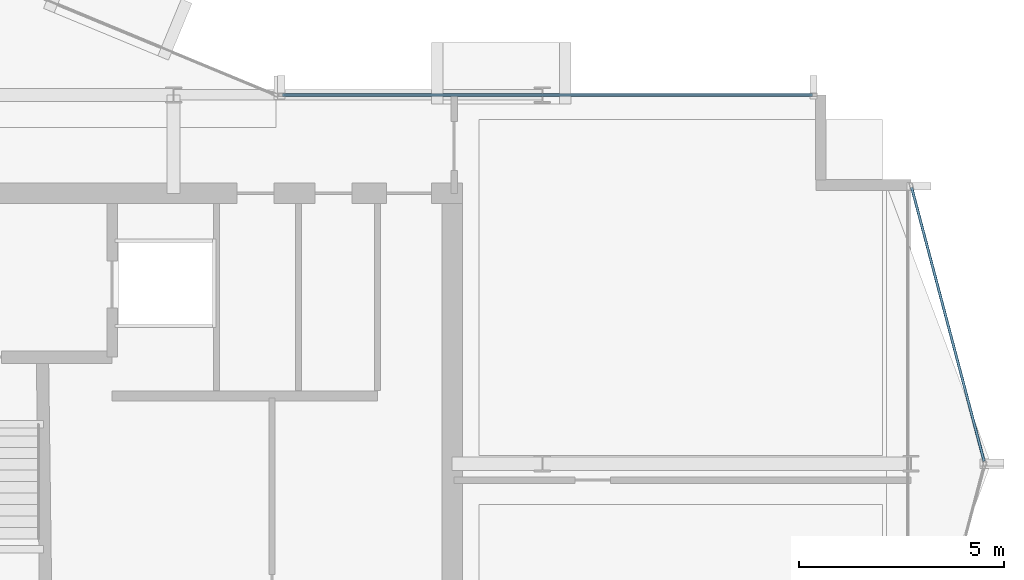
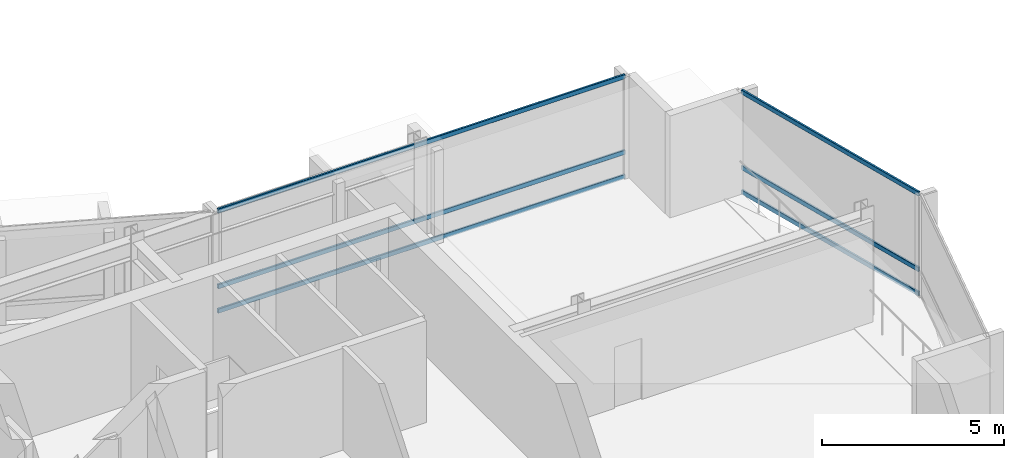
# One storey, part 13 of 27: 6 members, 2 elements without a shape of their own.
"""IFC4 building model written with IfcOpenShell, lengths in metres."""

import ifcopenshell
import ifcopenshell.guid

model = None  # the IFC model being written
_history = None  # IfcOwnerHistory: only IFC2X3 demands one
_inside = {}  # id of a spatial element -> (the spatial element, [elements in it])
_under = {}  # id of a project, library or spatial element -> (it, [spatial elements below it])
_declared = {}  # id of a project -> (the project, [libraries it declares])
_typed = {}  # id of a type object -> (the type object, [elements of that type])
_made_of = {}  # id of a material, layer set ... -> (it, [elements and type objects made of it])


def new_model(schema):
    """Start an empty IFC model of exactly this schema.

    Asked for "IFC4X3", IfcOpenShell would pick the latest addendum, in which some entities
    have other attributes; the version numbers below select the first issue.
    IFC2X3 requires an IfcOwnerHistory on every rooted entity: one is made here for all.
    """
    global model, _history
    if schema == "IFC4X3":
        model = ifcopenshell.file(schema_version=(4, 3, 0, 0))
    else:
        model = ifcopenshell.file(schema=schema)
    _inside.clear()
    _under.clear()
    _declared.clear()
    _typed.clear()
    _made_of.clear()
    _history = None
    if model.schema == "IFC2X3":
        org = make("IfcOrganization", Name="unknown")
        user = make(
            "IfcPersonAndOrganization",
            ThePerson=make("IfcPerson", FamilyName="unknown"),
            TheOrganization=org,
        )
        app = make(
            "IfcApplication",
            ApplicationDeveloper=org,
            Version="unknown",
            ApplicationFullName="unknown",
            ApplicationIdentifier="unknown",
        )
        _history = make(
            "IfcOwnerHistory",
            OwningUser=user,
            OwningApplication=app,
            ChangeAction="ADDED",
            CreationDate=0,
        )
    return model


def make(cls, **values):
    """One entity of the class cls with the attributes given. An attribute that is None is left unset."""
    return model.create_entity(
        cls, **{name: value for name, value in values.items() if value is not None}
    )


def rooted(cls, **values):
    """An entity with a GlobalId (a new one), such as an element, a storey or a relation."""
    return make(cls, GlobalId=ifcopenshell.guid.new(), OwnerHistory=_history, **values)


def si_unit(unit_type, name, prefix=None):
    """IfcSIUnit, for example si_unit("LENGTHUNIT", "METRE", prefix="MILLI")."""
    return make("IfcSIUnit", UnitType=unit_type, Prefix=prefix, Name=name)


def assignment(units):
    """IfcUnitAssignment: the units of a project."""
    return None if units is None else make("IfcUnitAssignment", Units=units)


def point(xyz):
    """IfcCartesianPoint."""
    return None if xyz is None else make("IfcCartesianPoint", Coordinates=xyz)


def direction(xyz):
    """IfcDirection."""
    return None if xyz is None else make("IfcDirection", DirectionRatios=xyz)


def frame(location, z_axis=None, x_axis=None):
    """IfcAxis2Placement3D, a coordinate frame: its origin and axes. An axis left out is left unset."""
    return make(
        "IfcAxis2Placement3D",
        Location=point(location),
        Axis=direction(z_axis),
        RefDirection=direction(x_axis),
    )


def frame_2d(location, x_axis=None):
    """IfcAxis2Placement2D, a coordinate frame in the plane: its origin and x axis."""
    return make(
        "IfcAxis2Placement2D", Location=point(location), RefDirection=direction(x_axis)
    )


def origin():
    """The frame at (0, 0, 0) with its axes left unset."""
    return frame((0.0, 0.0, 0.0))


def origin_2d():
    """The frame at (0, 0) in the plane with its x axis left unset."""
    return frame_2d((0.0, 0.0))


def place(relative_to, where):
    """IfcLocalPlacement: puts the frame where relative to a parent placement (None: the world)."""
    return make(
        "IfcLocalPlacement", PlacementRelTo=relative_to, RelativePlacement=where
    )


def context(
    kind, dimensions, precision=None, world=None, true_north=None, identifier=None
):
    """IfcGeometricRepresentationContext, for example the 3D "Model" context."""
    return make(
        "IfcGeometricRepresentationContext",
        ContextIdentifier=identifier,
        ContextType=kind,
        CoordinateSpaceDimension=dimensions,
        Precision=precision,
        WorldCoordinateSystem=world,
        TrueNorth=true_north,
    )


def subcontext(parent, identifier, kind, view, scale=None):
    """IfcGeometricRepresentationSubContext, for example "Body" below "Model"."""
    return make(
        "IfcGeometricRepresentationSubContext",
        ContextIdentifier=identifier,
        ContextType=kind,
        ParentContext=parent,
        TargetScale=scale,
        TargetView=view,
    )


def project(units=None, contexts=None):
    """IfcProject with its units and contexts."""
    return rooted(
        "IfcProject",
        Name="project",
        RepresentationContexts=contexts,
        UnitsInContext=assignment(units),
    )


def spatial(cls, under=None, at=None, **own):
    """A site, building, storey or space (cls), placed at a placement, below another one or the project."""
    s = rooted(cls, ObjectPlacement=at, **own)
    if under is not None:
        _under.setdefault(under.id(), (under, []))[1].append(s)
    return s


def profile(cls, at=None, kind="AREA", **sizes):
    """A parametric profile (cls). Its sizes go by their IFC names, for example OverallWidth=200.0."""
    return make(cls, ProfileType=kind, Position=at, **sizes)


def hollow_rectangle(**sizes):
    """IfcRectangleHollowProfileDef."""
    return profile("IfcRectangleHollowProfileDef", **sizes)


def extrude(swept, where, along, depth):
    """IfcExtrudedAreaSolid: the profile swept, set in the frame where, extruded along a direction by depth."""
    return make(
        "IfcExtrudedAreaSolid",
        SweptArea=swept,
        Position=where,
        ExtrudedDirection=direction(along),
        Depth=depth,
    )


def shape(context_of_items, identifier, shape_type, items):
    """IfcShapeRepresentation: the items that make up one representation, for example the "Body"."""
    return make(
        "IfcShapeRepresentation",
        ContextOfItems=context_of_items,
        RepresentationIdentifier=identifier,
        RepresentationType=shape_type,
        Items=items,
    )


def material(Name=None, Category=None):
    """IfcMaterial."""
    return make("IfcMaterial", Name=Name, Category=Category)


def layer(
    of_material, thickness, ventilated=None, Name=None, Category=None, Priority=None
):
    """IfcMaterialLayer: one layer of a wall or slab, of a material (None: an air gap)."""
    return make(
        "IfcMaterialLayer",
        Material=of_material,
        LayerThickness=thickness,
        IsVentilated=ventilated,
        Name=Name,
        Category=Category,
        Priority=Priority,
    )


def layer_set(layers, Name=None):
    """IfcMaterialLayerSet."""
    return make("IfcMaterialLayerSet", MaterialLayers=layers, LayerSetName=Name)


def material_profile(
    of_material, cross_section, Name=None, Category=None, Priority=None
):
    """IfcMaterialProfile: a cross section and its material."""
    return make(
        "IfcMaterialProfile",
        Name=Name,
        Material=of_material,
        Profile=cross_section,
        Priority=Priority,
        Category=Category,
    )


def profile_set(profiles, Name=None, composite=None):
    """IfcMaterialProfileSet."""
    return make(
        "IfcMaterialProfileSet",
        Name=Name,
        MaterialProfiles=profiles,
        CompositeProfile=composite,
    )


def made_of(thing, what):
    """Note that an element or type object is made of a material, layer set ...; save() writes the relation."""
    if what is not None:
        _made_of.setdefault(what.id(), (what, []))[1].append(thing)
    return thing


def type_object(cls, material=None, **own):
    """A type object (cls), such as IfcWallType, which elements share."""
    return made_of(rooted(cls, **own), material)


def element(
    cls,
    number,
    at=None,
    inside=None,
    cuts=None,
    type_object=None,
    material=None,
    context=None,
    identifier="Body",
    shape_type=None,
    held_by="IfcProductDefinitionShape",
    body=None,
    shapes=None,
    **own,
):
    """One element of the class cls, such as IfcWall. Its Tag is "e" and its number.

    at: its placement. inside: the storey or other place that contains it. cuts: it is an
    opening in that element (IfcRelVoidsElement). A single representation is given by context,
    identifier, shape_type and body (its items); several are given by shapes. held_by: the class
    of the entity that holds the representations. save() writes the other relations.
    """
    e = rooted(cls, Tag="e%d" % number, ObjectPlacement=at, **own)
    if body is not None:
        shapes = [shape(context, identifier, shape_type, body)]
    if shapes is not None:
        e.Representation = make(held_by, Representations=shapes)
    if inside is not None:
        _inside.setdefault(inside.id(), (inside, []))[1].append(e)
    if cuts is not None:
        rooted(
            "IfcRelVoidsElement", RelatingBuildingElement=cuts, RelatedOpeningElement=e
        )
    if type_object is not None:
        _typed.setdefault(type_object.id(), (type_object, []))[1].append(e)
    return made_of(e, material)


def aggregate(whole, parts):
    """IfcRelAggregates: a whole, such as a stair, and the parts it consists of."""
    return rooted("IfcRelAggregates", RelatingObject=whole, RelatedObjects=parts)


def save(model, path):
    """Write the relations noted so far, then the file.

    IfcRelAggregates (storeys below a building ...), IfcRelContainedInSpatialStructure (elements
    in a storey), IfcRelDefinesByType, IfcRelAssociatesMaterial and IfcRelDeclares: one each for
    every whole, place, type object, material and project.
    """
    for whole, parts in _under.values():
        aggregate(whole, parts)
    for where, things in _inside.values():
        rooted(
            "IfcRelContainedInSpatialStructure",
            RelatedElements=things,
            RelatingStructure=where,
        )
    for kind, things in _typed.values():
        rooted("IfcRelDefinesByType", RelatedObjects=things, RelatingType=kind)
    for what, things in _made_of.values():
        rooted("IfcRelAssociatesMaterial", RelatedObjects=things, RelatingMaterial=what)
    for by, libraries in _declared.values():
        rooted("IfcRelDeclares", RelatingContext=by, RelatedDefinitions=libraries)
    model.write(path)


model = new_model("IFC4")

# Units and contexts
model_context = context("Model", 3, precision=1e-05, world=origin(), true_north=direction((0.0, 1.0)))
body_context = subcontext(model_context, "Body", "Model", "MODEL_VIEW")
ifc_project = project(units=[si_unit("LENGTHUNIT", "METRE"), si_unit("AREAUNIT", "SQUARE_METRE"), si_unit("VOLUMEUNIT", "CUBIC_METRE"), si_unit("PLANEANGLEUNIT", "RADIAN"), si_unit("MASSUNIT", "GRAM", prefix="KILO")], contexts=[model_context])

# Site, building, storey
site_placement = place(None, origin())
site = spatial("IfcSite", under=ifc_project, at=site_placement, CompositionType="ELEMENT")
building_placement = place(site_placement, origin())
building = spatial("IfcBuilding", under=site, at=building_placement, Name="Solvaryn Broadcast Tower", CompositionType="ELEMENT")
storey_placement = place(building_placement, frame((0.0, 0.0, 221.0)))
storey = spatial("IfcBuildingStorey", under=building, at=storey_placement, Name="L55", CompositionType="ELEMENT", Elevation=221.0)

# Curtain wall, members
ifc_material_1 = material(Name="Aluminium and Terracotta Unitised Curtain Wall", Category="masonry")
ifc_layer = layer(ifc_material_1, 0.199951171875)
ifc_layer_set = layer_set([ifc_layer], Name="CW-SYS2-LOWMID")
curtain_wall_type = type_object("IfcCurtainWallType", Name="CW-SYS2-LOWMID", PredefinedType="NOTDEFINED", material=ifc_layer_set)
curtain_wall_1_placement = place(storey_placement, origin())
curtain_wall_1 = element("IfcCurtainWall", 1, at=curtain_wall_1_placement, inside=storey, type_object=curtain_wall_type, Name="L55 Curtain Wall ET1", PredefinedType="NOTDEFINED")
ifc_material_2 = material(Name="Anodised Aluminium 6063-T6", Category="aluminium")
ifc_material_profile = material_profile(ifc_material_2, hollow_rectangle(XDim=0.06494140625, YDim=0.14990234375, WallThickness=0.00390625, InnerFilletRadius=0.00390625, OuterFilletRadius=0.008056640625, at=origin_2d()))
ifc_profile_set = profile_set([ifc_material_profile], Name="Anodised Aluminium 6063-T6")
member_type = type_object("IfcMemberType", Name="CW-TRN-150", PredefinedType="USERDEFINED", material=ifc_profile_set)
member_1_placement = place(storey_placement, frame((54.015380859375, 24.741943359375, 0.030029296875), z_axis=(0.255897413051, -0.966703943301, 0.0), x_axis=(0.966703943301, 0.255897413051, 0.0)))
member_1 = element("IfcMember", 2, at=member_1_placement, type_object=member_type, Name="CWS2 transom 1.1", ObjectType="TRANSOM", PredefinedType="USERDEFINED", context=body_context, shape_type="SweptSolid", body=[
    extrude(hollow_rectangle(XDim=0.06494140625, YDim=0.14990234375, WallThickness=0.00390625, InnerFilletRadius=0.00390625, OuterFilletRadius=0.008056640625, at=origin_2d()), origin(), (0.0, 0.0, 1.0), 6.9140625),
])
member_2_placement = place(storey_placement, frame((54.015380859375, 24.741943359375, 0.85009765625), z_axis=(0.255897413051, -0.966703943301, 0.0), x_axis=(0.966703943301, 0.255897413051, 0.0)))
member_2 = element("IfcMember", 3, at=member_2_placement, type_object=member_type, Name="CWS2 transom 1.2", ObjectType="TRANSOM", PredefinedType="USERDEFINED", context=body_context, shape_type="SweptSolid", body=[
    extrude(hollow_rectangle(XDim=0.06494140625, YDim=0.14990234375, WallThickness=0.00390625, InnerFilletRadius=0.00390625, OuterFilletRadius=0.008056640625, at=origin_2d()), origin(), (0.0, 0.0, 1.0), 6.9140625),
])
member_3_placement = place(storey_placement, frame((54.015380859375, 24.741943359375, 3.389892578125), z_axis=(0.255897413051, -0.966703943301, 0.0), x_axis=(0.966703943301, 0.255897413051, 0.0)))
member_3 = element("IfcMember", 4, at=member_3_placement, type_object=member_type, Name="CWS2 transom 1.3", ObjectType="TRANSOM", PredefinedType="USERDEFINED", context=body_context, shape_type="SweptSolid", body=[
    extrude(hollow_rectangle(XDim=0.06494140625, YDim=0.14990234375, WallThickness=0.00390625, InnerFilletRadius=0.00390625, OuterFilletRadius=0.008056640625, at=origin_2d()), origin(), (0.0, 0.0, 1.0), 6.9140625),
])
aggregate(curtain_wall_1, [member_1, member_2, member_3])

curtain_wall_2_placement = place(storey_placement, origin())
curtain_wall_2 = element("IfcCurtainWall", 5, at=curtain_wall_2_placement, inside=storey, type_object=curtain_wall_type, Name="L55 Curtain Wall IH", PredefinedType="NOTDEFINED")
member_4_placement = place(storey_placement, frame((38.659912109375, 27.0, 0.030029296875), z_axis=(1.0, 0.0, 0.0), x_axis=(0.0, 1.0, 0.0)))
member_4 = element("IfcMember", 6, at=member_4_placement, type_object=member_type, Name="CWS2 transom 1.1", ObjectType="TRANSOM", PredefinedType="USERDEFINED", context=body_context, shape_type="SweptSolid", body=[
    extrude(hollow_rectangle(XDim=0.06494140625, YDim=0.14990234375, WallThickness=0.00390625, InnerFilletRadius=0.00390625, OuterFilletRadius=0.008056640625, at=origin_2d()), origin(), (0.0, 0.0, 1.0), 12.93017578125),
])
member_5_placement = place(storey_placement, frame((38.659912109375, 27.0, 0.85009765625), z_axis=(1.0, 0.0, 0.0), x_axis=(0.0, 1.0, 0.0)))
member_5 = element("IfcMember", 7, at=member_5_placement, type_object=member_type, Name="CWS2 transom 1.2", ObjectType="TRANSOM", PredefinedType="USERDEFINED", context=body_context, shape_type="SweptSolid", body=[
    extrude(hollow_rectangle(XDim=0.06494140625, YDim=0.14990234375, WallThickness=0.00390625, InnerFilletRadius=0.00390625, OuterFilletRadius=0.008056640625, at=origin_2d()), origin(), (0.0, 0.0, 1.0), 12.93017578125),
])
member_6_placement = place(storey_placement, frame((38.659912109375, 27.0, 3.389892578125), z_axis=(1.0, 0.0, 0.0), x_axis=(0.0, 1.0, 0.0)))
member_6 = element("IfcMember", 8, at=member_6_placement, type_object=member_type, Name="CWS2 transom 1.3", ObjectType="TRANSOM", PredefinedType="USERDEFINED", context=body_context, shape_type="SweptSolid", body=[
    extrude(hollow_rectangle(XDim=0.06494140625, YDim=0.14990234375, WallThickness=0.00390625, InnerFilletRadius=0.00390625, OuterFilletRadius=0.008056640625, at=origin_2d()), origin(), (0.0, 0.0, 1.0), 12.93017578125),
])
aggregate(curtain_wall_2, [member_4, member_5, member_6])

save(model, "model.ifc")
